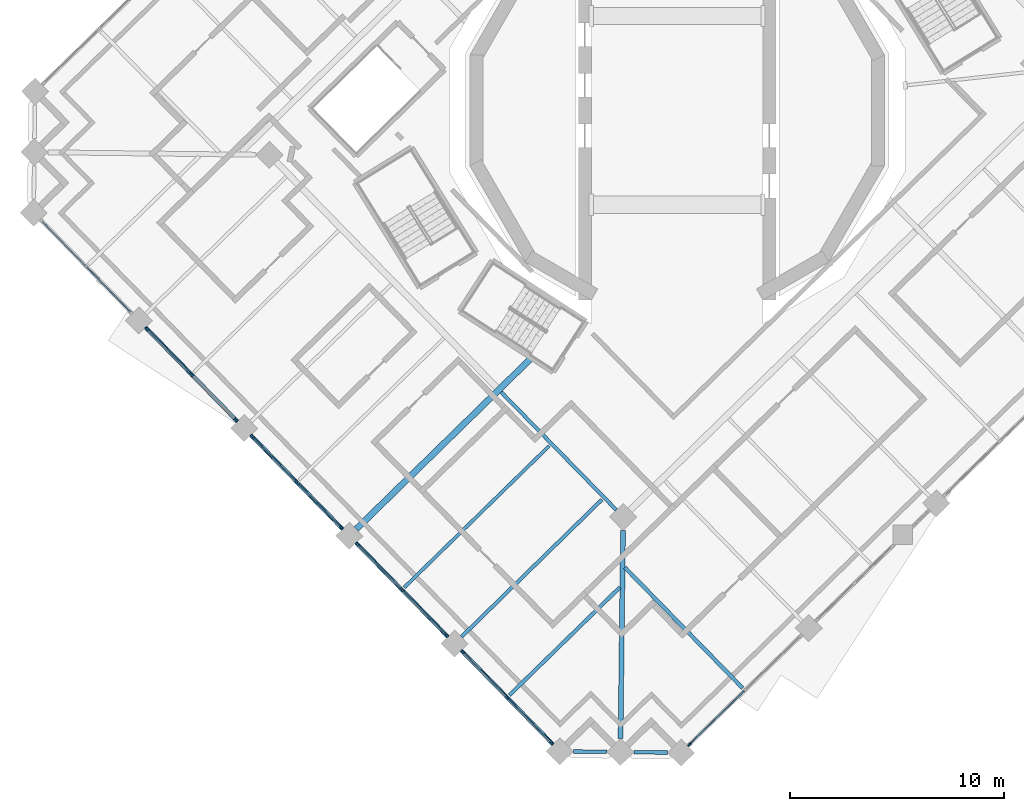
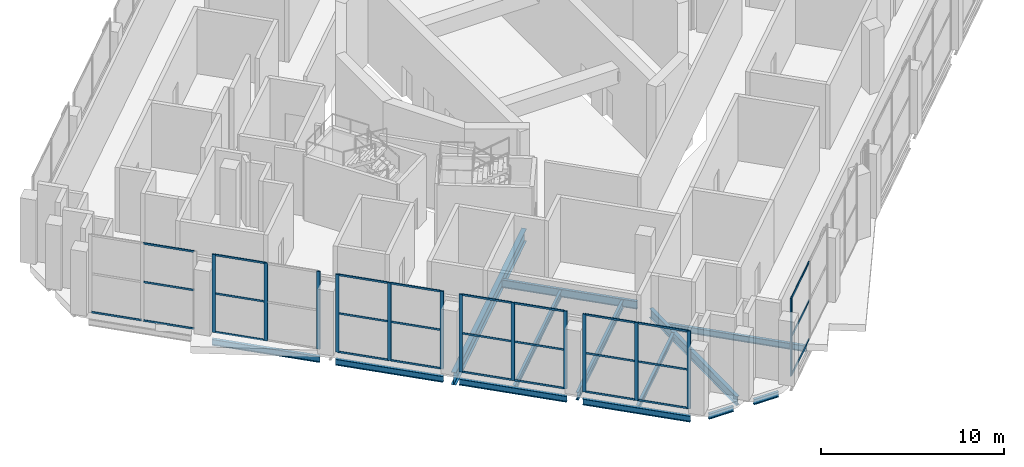
# One storey, part 2 of 20: 41 members, 13 beams, 6 elements without a shape of their own.
"""IFC4 building model written with IfcOpenShell, lengths in metres."""

from ifc_helpers import new_model, si_unit, direction, frame, origin, origin_2d, place, context, subcontext, project, spatial, rectangle, i_section, extrude, material, material_profile, profile_set, type_object, element, aggregate, save


model = new_model("IFC4")

# Units and contexts
model_context = context("Model", 3, precision=1e-05, world=origin(), true_north=direction((0.0, 1.0)))
body_context = subcontext(model_context, "Body", "Model", "MODEL_VIEW")
ifc_project = project(units=[si_unit("LENGTHUNIT", "METRE"), si_unit("AREAUNIT", "SQUARE_METRE"), si_unit("VOLUMEUNIT", "CUBIC_METRE"), si_unit("PLANEANGLEUNIT", "RADIAN"), si_unit("MASSUNIT", "GRAM", prefix="KILO")], contexts=[model_context])

# Site, building, storey
site_placement = place(None, origin())
site = spatial("IfcSite", under=ifc_project, at=site_placement, CompositionType="ELEMENT")
building_placement = place(site_placement, origin())
building = spatial("IfcBuilding", under=site, at=building_placement, Name="Cantera Rosa Tower", CompositionType="ELEMENT")
storey_placement = place(building_placement, frame((0.0, 0.0, 245.0)))
storey = spatial("IfcBuildingStorey", under=building, at=storey_placement, Name="L54", CompositionType="ELEMENT", Elevation=245.0)

# Curtain wall, members
ifc_material_1 = material(Name="Anodised aluminium louvre", Category="aluminium")
curtain_wall_type = type_object("IfcCurtainWallType", Name="CW3 REFUGE LOUVRE WALL", PredefinedType="NOTDEFINED", material=ifc_material_1)
curtain_wall_1_placement = place(storey_placement, origin())
curtain_wall_1 = element("IfcCurtainWall", 1, at=curtain_wall_1_placement, inside=storey, type_object=curtain_wall_type, Name="CW3 CW3", PredefinedType="NOTDEFINED")
ifc_material_2 = material(Name="Anodised bronze aluminium", Category="aluminium")
ifc_material_profile_1 = material_profile(ifc_material_2, rectangle(XDim=0.080078125, YDim=0.199951171875, at=origin_2d()), Name="CW-MULLION 80x200 REFUGE")
ifc_profile_set_1 = profile_set([ifc_material_profile_1], Name="Anodised bronze aluminium")
member_type_1 = type_object("IfcMemberType", Name="CW-MULLION 80x200 REFUGE", PredefinedType="MULLION", material=ifc_profile_set_1)
member_1_placement = place(storey_placement, frame((-24.720458984375, -10.185302734375, 0.0), z_axis=(0.0, 0.0, 1.0), x_axis=(0.715286291046, 0.698831540389, 0.0)))
member_1 = element("IfcMember", 2, at=member_1_placement, type_object=member_type_1, Name="CW3 mullion 1", PredefinedType="MULLION", context=body_context, shape_type="SweptSolid", body=[
    extrude(rectangle(XDim=0.080078125, YDim=0.199951171875, at=origin_2d()), origin(), (0.0, 0.0, 1.0), 5.199951171875),
])
member_2_placement = place(storey_placement, frame((-22.644775390625, -12.309814453125, 0.0), z_axis=(0.0, 0.0, 1.0), x_axis=(0.715286291046, 0.698831540389, 0.0)))
member_2 = element("IfcMember", 3, at=member_2_placement, type_object=member_type_1, Name="CW3 mullion 2", PredefinedType="MULLION", context=body_context, shape_type="SweptSolid", body=[
    extrude(rectangle(XDim=0.080078125, YDim=0.199951171875, at=origin_2d()), origin(), (0.0, 0.0, 1.0), 5.199951171875),
])
member_3_placement = place(storey_placement, frame((-20.5693359375, -14.43408203125, 0.0), z_axis=(0.0, 0.0, 1.0), x_axis=(0.715286291046, 0.698831540389, 0.0)))
member_3 = element("IfcMember", 4, at=member_3_placement, type_object=member_type_1, Name="CW3 mullion 3", PredefinedType="MULLION", context=body_context, shape_type="SweptSolid", body=[
    extrude(rectangle(XDim=0.080078125, YDim=0.199951171875, at=origin_2d()), origin(), (0.0, 0.0, 1.0), 5.199951171875),
])

curtain_wall_2_placement = place(storey_placement, origin())
curtain_wall_2 = element("IfcCurtainWall", 5, at=curtain_wall_2_placement, inside=storey, type_object=curtain_wall_type, Name="CW3 CW3", PredefinedType="NOTDEFINED")
member_4_placement = place(storey_placement, frame((-19.814697265625, -15.20654296875, 0.0), z_axis=(0.0, 0.0, 1.0), x_axis=(0.715286291046, 0.698831540389, 0.0)))
member_4 = element("IfcMember", 6, at=member_4_placement, type_object=member_type_1, Name="CW3 mullion 1", PredefinedType="MULLION", context=body_context, shape_type="SweptSolid", body=[
    extrude(rectangle(XDim=0.080078125, YDim=0.199951171875, at=origin_2d()), origin(), (0.0, 0.0, 1.0), 5.199951171875),
])
member_5_placement = place(storey_placement, frame((-17.739013671875, -17.3310546875, 0.0), z_axis=(0.0, 0.0, 1.0), x_axis=(0.715286291046, 0.698831540389, 0.0)))
member_5 = element("IfcMember", 7, at=member_5_placement, type_object=member_type_1, Name="CW3 mullion 2", PredefinedType="MULLION", context=body_context, shape_type="SweptSolid", body=[
    extrude(rectangle(XDim=0.080078125, YDim=0.199951171875, at=origin_2d()), origin(), (0.0, 0.0, 1.0), 5.199951171875),
])
member_6_placement = place(storey_placement, frame((-15.66357421875, -19.455322265625, 0.0), z_axis=(0.0, 0.0, 1.0), x_axis=(0.715286291046, 0.698831540389, 0.0)))
member_6 = element("IfcMember", 8, at=member_6_placement, type_object=member_type_1, Name="CW3 mullion 3", PredefinedType="MULLION", context=body_context, shape_type="SweptSolid", body=[
    extrude(rectangle(XDim=0.080078125, YDim=0.199951171875, at=origin_2d()), origin(), (0.0, 0.0, 1.0), 5.199951171875),
])

curtain_wall_3_placement = place(storey_placement, origin())
curtain_wall_3 = element("IfcCurtainWall", 9, at=curtain_wall_3_placement, inside=storey, type_object=curtain_wall_type, Name="CW3 CW3", PredefinedType="NOTDEFINED")
member_7_placement = place(storey_placement, frame((-14.908935546875, -20.22802734375, 0.0), z_axis=(0.0, 0.0, 1.0), x_axis=(0.715286291046, 0.698831540389, 0.0)))
member_7 = element("IfcMember", 10, at=member_7_placement, type_object=member_type_1, Name="CW3 mullion 1", PredefinedType="MULLION", context=body_context, shape_type="SweptSolid", body=[
    extrude(rectangle(XDim=0.080078125, YDim=0.199951171875, at=origin_2d()), origin(), (0.0, 0.0, 1.0), 5.199951171875),
])
member_8_placement = place(storey_placement, frame((-12.833251953125, -22.352294921875, 0.0), z_axis=(0.0, 0.0, 1.0), x_axis=(0.715286291046, 0.698831540389, 0.0)))
member_8 = element("IfcMember", 11, at=member_8_placement, type_object=member_type_1, Name="CW3 mullion 2", PredefinedType="MULLION", context=body_context, shape_type="SweptSolid", body=[
    extrude(rectangle(XDim=0.080078125, YDim=0.199951171875, at=origin_2d()), origin(), (0.0, 0.0, 1.0), 5.199951171875),
])
member_9_placement = place(storey_placement, frame((-10.7578125, -24.476806640625, 0.0), z_axis=(0.0, 0.0, 1.0), x_axis=(0.715286291046, 0.698831540389, 0.0)))
member_9 = element("IfcMember", 12, at=member_9_placement, type_object=member_type_1, Name="CW3 mullion 3", PredefinedType="MULLION", context=body_context, shape_type="SweptSolid", body=[
    extrude(rectangle(XDim=0.080078125, YDim=0.199951171875, at=origin_2d()), origin(), (0.0, 0.0, 1.0), 5.199951171875),
])

curtain_wall_4_placement = place(storey_placement, origin())
curtain_wall_4 = element("IfcCurtainWall", 13, at=curtain_wall_4_placement, inside=storey, type_object=curtain_wall_type, Name="CW3 CW3", PredefinedType="NOTDEFINED")
member_10_placement = place(storey_placement, frame((-10.0029296875, -25.249267578125, 0.0), z_axis=(0.0, 0.0, 1.0), x_axis=(0.715286291046, 0.698831540389, 0.0)))
member_10 = element("IfcMember", 14, at=member_10_placement, type_object=member_type_1, Name="CW3 mullion 1", PredefinedType="MULLION", context=body_context, shape_type="SweptSolid", body=[
    extrude(rectangle(XDim=0.080078125, YDim=0.199951171875, at=origin_2d()), origin(), (0.0, 0.0, 1.0), 5.199951171875),
])
member_11_placement = place(storey_placement, frame((-7.927490234375, -27.37353515625, 0.0), z_axis=(0.0, 0.0, 1.0), x_axis=(0.715286291046, 0.698831540389, 0.0)))
member_11 = element("IfcMember", 15, at=member_11_placement, type_object=member_type_1, Name="CW3 mullion 2", PredefinedType="MULLION", context=body_context, shape_type="SweptSolid", body=[
    extrude(rectangle(XDim=0.080078125, YDim=0.199951171875, at=origin_2d()), origin(), (0.0, 0.0, 1.0), 5.199951171875),
])
member_12_placement = place(storey_placement, frame((-5.85205078125, -29.498046875, 0.0), z_axis=(0.0, 0.0, 1.0), x_axis=(0.715286291046, 0.698831540389, 0.0)))
member_12 = element("IfcMember", 16, at=member_12_placement, type_object=member_type_1, Name="CW3 mullion 3", PredefinedType="MULLION", context=body_context, shape_type="SweptSolid", body=[
    extrude(rectangle(XDim=0.080078125, YDim=0.199951171875, at=origin_2d()), origin(), (0.0, 0.0, 1.0), 5.199951171875),
])

# Curtain wall, member
curtain_wall_5_placement = place(storey_placement, origin())
curtain_wall_5 = element("IfcCurtainWall", 17, at=curtain_wall_5_placement, inside=storey, type_object=curtain_wall_type, Name="CW3 CW3", PredefinedType="NOTDEFINED")
member_13_placement = place(storey_placement, frame((0.568115234375, -29.57275390625, 0.0), z_axis=(0.0, 0.0, 1.0), x_axis=(-0.698831540301, 0.715286291131, 0.0)))
member_13 = element("IfcMember", 18, at=member_13_placement, type_object=member_type_1, Name="CW3 mullion 1", PredefinedType="MULLION", context=body_context, shape_type="SweptSolid", body=[
    extrude(rectangle(XDim=0.080078125, YDim=0.199951171875, at=origin_2d()), origin(), (0.0, 0.0, 1.0), 5.199951171875),
])

# Curtain wall, members
curtain_wall_6_placement = place(storey_placement, origin())
curtain_wall_6 = element("IfcCurtainWall", 19, at=curtain_wall_6_placement, inside=storey, type_object=curtain_wall_type, Name="CW3 CW3", PredefinedType="NOTDEFINED")
ifc_material_3 = material(Name="Anodised bronze aluminium", Category="aluminium")
ifc_material_profile_2 = material_profile(ifc_material_3, rectangle(XDim=0.06005859375, YDim=0.1201171875, at=origin_2d()), Name="CW-TRANSOM 60x120 REFUGE")
ifc_profile_set_2 = profile_set([ifc_material_profile_2], Name="Anodised bronze aluminium")
member_type_2 = type_object("IfcMemberType", Name="CW-TRANSOM 60x120 REFUGE", PredefinedType="USERDEFINED", material=ifc_profile_set_2)
member_14_placement = place(storey_placement, frame((-29.598388671875, -5.192626953125, 0.030029296875), z_axis=(0.698865185777, -0.715253418104, 0.0), x_axis=(0.715253418104, 0.698865185777, 0.0)))
member_14 = element("IfcMember", 20, at=member_14_placement, type_object=member_type_2, Name="CW3 transom 1.1", ObjectType="TRANSOM", PredefinedType="USERDEFINED", context=body_context, shape_type="SweptSolid", body=[
    extrude(rectangle(XDim=0.06005859375, YDim=0.1201171875, at=origin_2d()), origin(), (0.0, 0.0, 1.0), 2.89013671875),
])
member_15_placement = place(storey_placement, frame((-27.522705078125, -7.31689453125, 0.030029296875), z_axis=(0.698779737974, -0.71533689811, 0.0), x_axis=(0.71533689811, 0.698779737974, 0.0)))
member_15 = element("IfcMember", 21, at=member_15_placement, type_object=member_type_2, Name="CW3 transom 2.1", ObjectType="TRANSOM", PredefinedType="USERDEFINED", context=body_context, shape_type="SweptSolid", body=[
    extrude(rectangle(XDim=0.06005859375, YDim=0.1201171875, at=origin_2d()), origin(), (0.0, 0.0, 1.0), 2.89013671875),
])
member_16_placement = place(storey_placement, frame((-27.522705078125, -7.31689453125, 2.60009765625), z_axis=(0.698779737974, -0.71533689811, 0.0), x_axis=(0.71533689811, 0.698779737974, 0.0)))
member_16 = element("IfcMember", 22, at=member_16_placement, type_object=member_type_2, Name="CW3 transom 2.2", ObjectType="TRANSOM", PredefinedType="USERDEFINED", context=body_context, shape_type="SweptSolid", body=[
    extrude(rectangle(XDim=0.06005859375, YDim=0.1201171875, at=origin_2d()), origin(), (0.0, 0.0, 1.0), 2.89013671875),
])
member_17_placement = place(storey_placement, frame((-27.522705078125, -7.31689453125, 5.169921875), z_axis=(0.698779737974, -0.71533689811, 0.0), x_axis=(0.71533689811, 0.698779737974, 0.0)))
member_17 = element("IfcMember", 23, at=member_17_placement, type_object=member_type_2, Name="CW3 transom 2.3", ObjectType="TRANSOM", PredefinedType="USERDEFINED", context=body_context, shape_type="SweptSolid", body=[
    extrude(rectangle(XDim=0.06005859375, YDim=0.1201171875, at=origin_2d()), origin(), (0.0, 0.0, 1.0), 2.89013671875),
])
aggregate(curtain_wall_6, [member_14, member_15, member_16, member_17])

# Member
member_18_placement = place(storey_placement, frame((-24.6923828125, -10.2138671875, 0.030029296875), z_axis=(0.698821965382, -0.715295645659, 0.0), x_axis=(0.715295645659, 0.698821965382, 0.0)))
member_18 = element("IfcMember", 24, at=member_18_placement, type_object=member_type_2, Name="CW3 transom 1.1", ObjectType="TRANSOM", PredefinedType="USERDEFINED", context=body_context, shape_type="SweptSolid", body=[
    extrude(rectangle(XDim=0.06005859375, YDim=0.1201171875, at=origin_2d()), origin(), (0.0, 0.0, 1.0), 2.889892578125),
])

member_19_placement = place(storey_placement, frame((-24.6923828125, -10.2138671875, 2.60009765625), z_axis=(0.698821965382, -0.715295645659, 0.0), x_axis=(0.715295645659, 0.698821965382, 0.0)))
member_19 = element("IfcMember", 25, at=member_19_placement, type_object=member_type_2, Name="CW3 transom 1.2", ObjectType="TRANSOM", PredefinedType="USERDEFINED", context=body_context, shape_type="SweptSolid", body=[
    extrude(rectangle(XDim=0.06005859375, YDim=0.1201171875, at=origin_2d()), origin(), (0.0, 0.0, 1.0), 2.889892578125),
])

member_20_placement = place(storey_placement, frame((-24.6923828125, -10.2138671875, 5.169921875), z_axis=(0.698821965382, -0.715295645659, 0.0), x_axis=(0.715295645659, 0.698821965382, 0.0)))
member_20 = element("IfcMember", 26, at=member_20_placement, type_object=member_type_2, Name="CW3 transom 1.3", ObjectType="TRANSOM", PredefinedType="USERDEFINED", context=body_context, shape_type="SweptSolid", body=[
    extrude(rectangle(XDim=0.06005859375, YDim=0.1201171875, at=origin_2d()), origin(), (0.0, 0.0, 1.0), 2.889892578125),
])

aggregate(curtain_wall_1, [member_1, member_2, member_3, member_18, member_19, member_20])

member_21_placement = place(storey_placement, frame((-19.78662109375, -15.2353515625, 0.030029296875), z_axis=(0.698821965382, -0.715295645659, 0.0), x_axis=(0.715295645659, 0.698821965382, 0.0)))
member_21 = element("IfcMember", 27, at=member_21_placement, type_object=member_type_2, Name="CW3 transom 1.1", ObjectType="TRANSOM", PredefinedType="USERDEFINED", context=body_context, shape_type="SweptSolid", body=[
    extrude(rectangle(XDim=0.06005859375, YDim=0.1201171875, at=origin_2d()), origin(), (0.0, 0.0, 1.0), 2.889892578125),
])

member_22_placement = place(storey_placement, frame((-19.78662109375, -15.2353515625, 2.60009765625), z_axis=(0.698821965382, -0.715295645659, 0.0), x_axis=(0.715295645659, 0.698821965382, 0.0)))
member_22 = element("IfcMember", 28, at=member_22_placement, type_object=member_type_2, Name="CW3 transom 1.2", ObjectType="TRANSOM", PredefinedType="USERDEFINED", context=body_context, shape_type="SweptSolid", body=[
    extrude(rectangle(XDim=0.06005859375, YDim=0.1201171875, at=origin_2d()), origin(), (0.0, 0.0, 1.0), 2.889892578125),
])

member_23_placement = place(storey_placement, frame((-19.78662109375, -15.2353515625, 5.169921875), z_axis=(0.698821965382, -0.715295645659, 0.0), x_axis=(0.715295645659, 0.698821965382, 0.0)))
member_23 = element("IfcMember", 29, at=member_23_placement, type_object=member_type_2, Name="CW3 transom 1.3", ObjectType="TRANSOM", PredefinedType="USERDEFINED", context=body_context, shape_type="SweptSolid", body=[
    extrude(rectangle(XDim=0.06005859375, YDim=0.1201171875, at=origin_2d()), origin(), (0.0, 0.0, 1.0), 2.889892578125),
])

member_24_placement = place(storey_placement, frame((-17.711181640625, -17.359619140625, 0.030029296875), z_axis=(0.698865185777, -0.715253418104, 0.0), x_axis=(0.715253418104, 0.698865185777, 0.0)))
member_24 = element("IfcMember", 30, at=member_24_placement, type_object=member_type_2, Name="CW3 transom 2.1", ObjectType="TRANSOM", PredefinedType="USERDEFINED", context=body_context, shape_type="SweptSolid", body=[
    extrude(rectangle(XDim=0.06005859375, YDim=0.1201171875, at=origin_2d()), origin(), (0.0, 0.0, 1.0), 2.89013671875),
])

member_25_placement = place(storey_placement, frame((-17.711181640625, -17.359619140625, 2.60009765625), z_axis=(0.698865185777, -0.715253418104, 0.0), x_axis=(0.715253418104, 0.698865185777, 0.0)))
member_25 = element("IfcMember", 31, at=member_25_placement, type_object=member_type_2, Name="CW3 transom 2.2", ObjectType="TRANSOM", PredefinedType="USERDEFINED", context=body_context, shape_type="SweptSolid", body=[
    extrude(rectangle(XDim=0.06005859375, YDim=0.1201171875, at=origin_2d()), origin(), (0.0, 0.0, 1.0), 2.89013671875),
])

member_26_placement = place(storey_placement, frame((-17.711181640625, -17.359619140625, 5.169921875), z_axis=(0.698865185777, -0.715253418104, 0.0), x_axis=(0.715253418104, 0.698865185777, 0.0)))
member_26 = element("IfcMember", 32, at=member_26_placement, type_object=member_type_2, Name="CW3 transom 2.3", ObjectType="TRANSOM", PredefinedType="USERDEFINED", context=body_context, shape_type="SweptSolid", body=[
    extrude(rectangle(XDim=0.06005859375, YDim=0.1201171875, at=origin_2d()), origin(), (0.0, 0.0, 1.0), 2.89013671875),
])

aggregate(curtain_wall_2, [member_4, member_5, member_6, member_21, member_22, member_23, member_24, member_25, member_26])

member_27_placement = place(storey_placement, frame((-14.880859375, -20.256591796875, 0.030029296875), z_axis=(0.698821965382, -0.715295645659, 0.0), x_axis=(0.715295645659, 0.698821965382, 0.0)))
member_27 = element("IfcMember", 33, at=member_27_placement, type_object=member_type_2, Name="CW3 transom 1.1", ObjectType="TRANSOM", PredefinedType="USERDEFINED", context=body_context, shape_type="SweptSolid", body=[
    extrude(rectangle(XDim=0.06005859375, YDim=0.1201171875, at=origin_2d()), origin(), (0.0, 0.0, 1.0), 2.889892578125),
])

member_28_placement = place(storey_placement, frame((-14.880859375, -20.256591796875, 2.60009765625), z_axis=(0.698821965382, -0.715295645659, 0.0), x_axis=(0.715295645659, 0.698821965382, 0.0)))
member_28 = element("IfcMember", 34, at=member_28_placement, type_object=member_type_2, Name="CW3 transom 1.2", ObjectType="TRANSOM", PredefinedType="USERDEFINED", context=body_context, shape_type="SweptSolid", body=[
    extrude(rectangle(XDim=0.06005859375, YDim=0.1201171875, at=origin_2d()), origin(), (0.0, 0.0, 1.0), 2.889892578125),
])

member_29_placement = place(storey_placement, frame((-14.880859375, -20.256591796875, 5.169921875), z_axis=(0.698821965382, -0.715295645659, 0.0), x_axis=(0.715295645659, 0.698821965382, 0.0)))
member_29 = element("IfcMember", 35, at=member_29_placement, type_object=member_type_2, Name="CW3 transom 1.3", ObjectType="TRANSOM", PredefinedType="USERDEFINED", context=body_context, shape_type="SweptSolid", body=[
    extrude(rectangle(XDim=0.06005859375, YDim=0.1201171875, at=origin_2d()), origin(), (0.0, 0.0, 1.0), 2.889892578125),
])

member_30_placement = place(storey_placement, frame((-12.805419921875, -22.380859375, 0.030029296875), z_axis=(0.698822960742, -0.715294673222, 0.0), x_axis=(0.715294673222, 0.698822960742, 0.0)))
member_30 = element("IfcMember", 36, at=member_30_placement, type_object=member_type_2, Name="CW3 transom 2.1", ObjectType="TRANSOM", PredefinedType="USERDEFINED", context=body_context, shape_type="SweptSolid", body=[
    extrude(rectangle(XDim=0.06005859375, YDim=0.1201171875, at=origin_2d()), origin(), (0.0, 0.0, 1.0), 2.89013671875),
])

member_31_placement = place(storey_placement, frame((-12.805419921875, -22.380859375, 2.60009765625), z_axis=(0.698822960742, -0.715294673222, 0.0), x_axis=(0.715294673222, 0.698822960742, 0.0)))
member_31 = element("IfcMember", 37, at=member_31_placement, type_object=member_type_2, Name="CW3 transom 2.2", ObjectType="TRANSOM", PredefinedType="USERDEFINED", context=body_context, shape_type="SweptSolid", body=[
    extrude(rectangle(XDim=0.06005859375, YDim=0.1201171875, at=origin_2d()), origin(), (0.0, 0.0, 1.0), 2.89013671875),
])

member_32_placement = place(storey_placement, frame((-12.805419921875, -22.380859375, 5.169921875), z_axis=(0.698822960742, -0.715294673222, 0.0), x_axis=(0.715294673222, 0.698822960742, 0.0)))
member_32 = element("IfcMember", 38, at=member_32_placement, type_object=member_type_2, Name="CW3 transom 2.3", ObjectType="TRANSOM", PredefinedType="USERDEFINED", context=body_context, shape_type="SweptSolid", body=[
    extrude(rectangle(XDim=0.06005859375, YDim=0.1201171875, at=origin_2d()), origin(), (0.0, 0.0, 1.0), 2.89013671875),
])

aggregate(curtain_wall_3, [member_7, member_8, member_9, member_27, member_28, member_29, member_30, member_31, member_32])

member_33_placement = place(storey_placement, frame((-9.97509765625, -25.27783203125, 0.030029296875), z_axis=(0.698821965382, -0.715295645659, 0.0), x_axis=(0.715295645659, 0.698821965382, 0.0)))
member_33 = element("IfcMember", 39, at=member_33_placement, type_object=member_type_2, Name="CW3 transom 1.1", ObjectType="TRANSOM", PredefinedType="USERDEFINED", context=body_context, shape_type="SweptSolid", body=[
    extrude(rectangle(XDim=0.06005859375, YDim=0.1201171875, at=origin_2d()), origin(), (0.0, 0.0, 1.0), 2.889892578125),
])

member_34_placement = place(storey_placement, frame((-9.97509765625, -25.27783203125, 2.60009765625), z_axis=(0.698821965382, -0.715295645659, 0.0), x_axis=(0.715295645659, 0.698821965382, 0.0)))
member_34 = element("IfcMember", 40, at=member_34_placement, type_object=member_type_2, Name="CW3 transom 1.2", ObjectType="TRANSOM", PredefinedType="USERDEFINED", context=body_context, shape_type="SweptSolid", body=[
    extrude(rectangle(XDim=0.06005859375, YDim=0.1201171875, at=origin_2d()), origin(), (0.0, 0.0, 1.0), 2.889892578125),
])

member_35_placement = place(storey_placement, frame((-9.97509765625, -25.27783203125, 5.169921875), z_axis=(0.698821965382, -0.715295645659, 0.0), x_axis=(0.715295645659, 0.698821965382, 0.0)))
member_35 = element("IfcMember", 41, at=member_35_placement, type_object=member_type_2, Name="CW3 transom 1.3", ObjectType="TRANSOM", PredefinedType="USERDEFINED", context=body_context, shape_type="SweptSolid", body=[
    extrude(rectangle(XDim=0.06005859375, YDim=0.1201171875, at=origin_2d()), origin(), (0.0, 0.0, 1.0), 2.889892578125),
])

member_36_placement = place(storey_placement, frame((-7.899658203125, -27.40234375, 0.030029296875), z_axis=(0.698865185777, -0.715253418104, 0.0), x_axis=(0.715253418104, 0.698865185777, 0.0)))
member_36 = element("IfcMember", 42, at=member_36_placement, type_object=member_type_2, Name="CW3 transom 2.1", ObjectType="TRANSOM", PredefinedType="USERDEFINED", context=body_context, shape_type="SweptSolid", body=[
    extrude(rectangle(XDim=0.06005859375, YDim=0.1201171875, at=origin_2d()), origin(), (0.0, 0.0, 1.0), 2.89013671875),
])

member_37_placement = place(storey_placement, frame((-7.899658203125, -27.40234375, 2.60009765625), z_axis=(0.698865185777, -0.715253418104, 0.0), x_axis=(0.715253418104, 0.698865185777, 0.0)))
member_37 = element("IfcMember", 43, at=member_37_placement, type_object=member_type_2, Name="CW3 transom 2.2", ObjectType="TRANSOM", PredefinedType="USERDEFINED", context=body_context, shape_type="SweptSolid", body=[
    extrude(rectangle(XDim=0.06005859375, YDim=0.1201171875, at=origin_2d()), origin(), (0.0, 0.0, 1.0), 2.89013671875),
])

member_38_placement = place(storey_placement, frame((-7.899658203125, -27.40234375, 5.169921875), z_axis=(0.698865185777, -0.715253418104, 0.0), x_axis=(0.715253418104, 0.698865185777, 0.0)))
member_38 = element("IfcMember", 44, at=member_38_placement, type_object=member_type_2, Name="CW3 transom 2.3", ObjectType="TRANSOM", PredefinedType="USERDEFINED", context=body_context, shape_type="SweptSolid", body=[
    extrude(rectangle(XDim=0.06005859375, YDim=0.1201171875, at=origin_2d()), origin(), (0.0, 0.0, 1.0), 2.89013671875),
])

aggregate(curtain_wall_4, [member_10, member_11, member_12, member_33, member_34, member_35, member_36, member_37, member_38])

member_39_placement = place(storey_placement, frame((0.5966796875, -29.544677734375, 0.030029296875), z_axis=(0.715334487987, 0.698782205195, 0.0), x_axis=(-0.698782205195, 0.715334487987, 0.0)))
member_39 = element("IfcMember", 45, at=member_39_placement, type_object=member_type_2, Name="CW3 transom 1.1", ObjectType="TRANSOM", PredefinedType="USERDEFINED", context=body_context, shape_type="SweptSolid", body=[
    extrude(rectangle(XDim=0.06005859375, YDim=0.1201171875, at=origin_2d()), origin(), (0.0, 0.0, 1.0), 3.5400390625),
])

member_40_placement = place(storey_placement, frame((0.5966796875, -29.544677734375, 2.60009765625), z_axis=(0.715334487987, 0.698782205195, 0.0), x_axis=(-0.698782205195, 0.715334487987, 0.0)))
member_40 = element("IfcMember", 46, at=member_40_placement, type_object=member_type_2, Name="CW3 transom 1.2", ObjectType="TRANSOM", PredefinedType="USERDEFINED", context=body_context, shape_type="SweptSolid", body=[
    extrude(rectangle(XDim=0.06005859375, YDim=0.1201171875, at=origin_2d()), origin(), (0.0, 0.0, 1.0), 3.5400390625),
])

member_41_placement = place(storey_placement, frame((0.5966796875, -29.544677734375, 5.169921875), z_axis=(0.715334487987, 0.698782205195, 0.0), x_axis=(-0.698782205195, 0.715334487987, 0.0)))
member_41 = element("IfcMember", 47, at=member_41_placement, type_object=member_type_2, Name="CW3 transom 1.3", ObjectType="TRANSOM", PredefinedType="USERDEFINED", context=body_context, shape_type="SweptSolid", body=[
    extrude(rectangle(XDim=0.06005859375, YDim=0.1201171875, at=origin_2d()), origin(), (0.0, 0.0, 1.0), 3.5400390625),
])

aggregate(curtain_wall_5, [member_13, member_39, member_40, member_41])

# Beams
ifc_material_4 = material(Name="Steel ASTM A992 (Fy 345 MPa)", Category="steel")
ifc_material_profile_3 = material_profile(ifc_material_4, i_section(OverallWidth=0.166015625, OverallDepth=0.528076171875, WebThickness=0.009765625, FlangeThickness=0.013671875, FilletRadius=0.0126953125, at=origin_2d()), Name="W530X74")
ifc_profile_set_3 = profile_set([ifc_material_profile_3], Name="Steel ASTM A992 (Fy 345 MPa)")
beam_type_1 = type_object("IfcBeamType", Name="STEEL BEAM W530X74", PredefinedType="BEAM", material=ifc_profile_set_3)
beam_1_placement = place(storey_placement, frame((-10.05859375, -24.548583984375, -0.714111328125), z_axis=(0.71529025682, 0.698827481213, 0.0), x_axis=(-0.698827481213, 0.71529025682, 0.0)))
element("IfcBeam", 48, at=beam_1_placement, inside=storey, type_object=beam_type_1, Name="G-Z4-16 L54", PredefinedType="BEAM", context=body_context, shape_type="SweptSolid", body=[
    extrude(i_section(OverallWidth=0.166015625, OverallDepth=0.528076171875, WebThickness=0.009765625, FlangeThickness=0.013671875, FilletRadius=0.0126953125, at=origin_2d()), origin(), (0.0, 0.0, 1.0), 9.14990234375),
])
beam_2_placement = place(storey_placement, frame((-2.833251953125, -18.635986328125, -0.714111328125), z_axis=(-0.698820376914, 0.71529719754, 0.0), x_axis=(-0.71529719754, -0.698820376914, 0.0)))
element("IfcBeam", 49, at=beam_2_placement, inside=storey, type_object=beam_type_1, Name="RB-Z4-06 L54", PredefinedType="BEAM", context=body_context, shape_type="SweptSolid", body=[
    extrude(i_section(OverallWidth=0.166015625, OverallDepth=0.528076171875, WebThickness=0.009765625, FlangeThickness=0.013671875, FilletRadius=0.0126953125, at=origin_2d()), origin(), (0.0, 0.0, 1.0), 7.690185546875),
])
ifc_material_5 = material(Name="Steel ASTM A992 (Fy 345 MPa)", Category="steel")
ifc_material_profile_4 = material_profile(ifc_material_5, i_section(OverallWidth=0.22802734375, OverallDepth=0.60205078125, WebThickness=0.010498046875, FlangeThickness=0.014892578125, FilletRadius=0.0126953125, at=origin_2d()), Name="W610X101")
ifc_profile_set_4 = profile_set([ifc_material_profile_4], Name="Steel ASTM A992 (Fy 345 MPa)")
beam_type_2 = type_object("IfcBeamType", Name="STEEL BEAM W610X101", PredefinedType="BEAM", material=ifc_profile_set_4)
beam_3_placement = place(storey_placement, frame((-2.638916015625, -29.28076171875, -0.7509765625), z_axis=(0.011618330597, 0.999932504919, 0.0), x_axis=(-0.999932504919, 0.011618330597, 0.0)))
element("IfcBeam", 50, at=beam_3_placement, inside=storey, type_object=beam_type_2, Name="CB-Z4-03 L54", PredefinedType="BEAM", context=body_context, shape_type="SweptSolid", body=[
    extrude(i_section(OverallWidth=0.22802734375, OverallDepth=0.60205078125, WebThickness=0.010498046875, FlangeThickness=0.014892578125, FilletRadius=0.0126953125, at=origin_2d()), origin(), (0.0, 0.0, 1.0), 9.687255859375),
])
ifc_material_6 = material(Name="Steel ASTM A992 (Fy 345 MPa)", Category="steel")
ifc_material_profile_5 = material_profile(ifc_material_6, i_section(OverallWidth=0.2919921875, OverallDepth=0.8359375, WebThickness=0.013916015625, FlangeThickness=0.018798828125, FilletRadius=0.017822265625, at=origin_2d()), Name="W840X176")
ifc_profile_set_5 = profile_set([ifc_material_profile_5], Name="Steel ASTM A992 (Fy 345 MPa)")
beam_type_3 = type_object("IfcBeamType", Name="STEEL BEAM W840X176", PredefinedType="BEAM", material=ifc_profile_set_5)
beam_4_placement = place(storey_placement, frame((-14.96435546875, -19.527099609375, -0.867919921875), z_axis=(0.715288446628, 0.698829334045, 0.0), x_axis=(-0.698829334045, 0.715288446628, 0.0)))
element("IfcBeam", 51, at=beam_4_placement, inside=storey, type_object=beam_type_3, Name="G-Z4-15 L54", PredefinedType="BEAM", context=body_context, shape_type="SweptSolid", body=[
    extrude(i_section(OverallWidth=0.2919921875, OverallDepth=0.8359375, WebThickness=0.013916015625, FlangeThickness=0.018798828125, FilletRadius=0.017822265625, at=origin_2d()), origin(), (0.0, 0.0, 1.0), 14.299072265625),
])
ifc_material_7 = material(Name="Steel ASTM A992 (Fy 345 MPa)", Category="steel")
ifc_material_profile_6 = material_profile(ifc_material_7, i_section(OverallWidth=0.1708984375, OverallDepth=0.35595703125, WebThickness=0.00732421875, FlangeThickness=0.01171875, FilletRadius=0.010009765625, at=origin_2d()), Name="W360X51")
ifc_profile_set_6 = profile_set([ifc_material_profile_6], Name="Steel ASTM A992 (Fy 345 MPa)")
beam_type_4 = type_object("IfcBeamType", Name="STEEL JOIST W360X51", PredefinedType="JOIST", material=ifc_profile_set_6)
beam_5_placement = place(storey_placement, frame((-7.8203125, -27.268798828125, -0.6279296875), z_axis=(0.715287213552, 0.69883059616, 0.0), x_axis=(-0.69883059616, 0.715287213552, 0.0)))
element("IfcBeam", 52, at=beam_5_placement, inside=storey, type_object=beam_type_4, Name="B-Z4-20 L54", PredefinedType="JOIST", context=body_context, shape_type="SweptSolid", body=[
    extrude(i_section(OverallWidth=0.1708984375, OverallDepth=0.35595703125, WebThickness=0.00732421875, FlangeThickness=0.01171875, FilletRadius=0.010009765625, at=origin_2d()), origin(), (0.0, 0.0, 1.0), 7.2099609375),
])
ifc_material_8 = material(Name="Steel ASTM A992 (Fy 345 MPa)", Category="steel")
ifc_material_profile_7 = material_profile(ifc_material_8, i_section(OverallWidth=0.177978515625, OverallDepth=0.406005859375, WebThickness=0.0078125, FlangeThickness=0.0126953125, FilletRadius=0.01025390625, at=origin_2d()), Name="W410X60")
ifc_profile_set_7 = profile_set([ifc_material_profile_7], Name="Steel ASTM A992 (Fy 345 MPa)")
beam_type_5 = type_object("IfcBeamType", Name="STEEL JOIST W410X60", PredefinedType="JOIST", material=ifc_profile_set_7)
beam_6_placement = place(storey_placement, frame((3.052734375, -26.935791015625, -0.653076171875), z_axis=(-0.698827868311, 0.715289878631, 0.0), x_axis=(-0.715289878631, -0.698827868311, 0.0)))
element("IfcBeam", 53, at=beam_6_placement, inside=storey, type_object=beam_type_5, Name="B-Z4-11 L54", PredefinedType="JOIST", context=body_context, shape_type="SweptSolid", body=[
    extrude(i_section(OverallWidth=0.177978515625, OverallDepth=0.406005859375, WebThickness=0.0078125, FlangeThickness=0.0126953125, FilletRadius=0.01025390625, at=origin_2d()), origin(), (0.0, 0.0, 1.0), 7.860107421875),
])
ifc_material_9 = material(Name="Steel ASTM A992 (Fy 345 MPa)", Category="steel")
ifc_material_profile_8 = material_profile(ifc_material_9, i_section(OverallWidth=0.154052734375, OverallDepth=0.4599609375, WebThickness=0.009033203125, FlangeThickness=0.015380859375, FilletRadius=0.01025390625, at=origin_2d()), Name="W460X68")
ifc_profile_set_8 = profile_set([ifc_material_profile_8], Name="Steel ASTM A992 (Fy 345 MPa)")
beam_type_6 = type_object("IfcBeamType", Name="STEEL JOIST W460X68", PredefinedType="JOIST", material=ifc_profile_set_8)
beam_7_placement = place(storey_placement, frame((-12.72607421875, -22.24755859375, -0.679931640625), z_axis=(0.715287278354, 0.698830529832, 0.0), x_axis=(-0.698830529832, 0.715287278354, 0.0)))
element("IfcBeam", 54, at=beam_7_placement, inside=storey, type_object=beam_type_6, Name="B-Z4-19 L54", PredefinedType="JOIST", context=body_context, shape_type="SweptSolid", body=[
    extrude(i_section(OverallWidth=0.154052734375, OverallDepth=0.4599609375, WebThickness=0.009033203125, FlangeThickness=0.015380859375, FilletRadius=0.01025390625, at=origin_2d()), origin(), (0.0, 0.0, 1.0), 9.4501953125),
])
ifc_material_10 = material(Name="Steel ASTM A992 (Fy 345 MPa)", Category="steel")
ifc_material_profile_9 = material_profile(ifc_material_10, i_section(OverallWidth=0.1708984375, OverallDepth=0.35595703125, WebThickness=0.00732421875, FlangeThickness=0.01171875, FilletRadius=0.010009765625, at=origin_2d()), Name="W360X51")
ifc_profile_set_9 = profile_set([ifc_material_profile_9], Name="Steel ASTM A992 (Fy 345 MPa)")
beam_type_7 = type_object("IfcBeamType", Name="STEEL SPANDREL BEAM W360X51", PredefinedType="SPANDREL", material=ifc_profile_set_9)
for number, where, z_axis, x_axis, name in (
    (55, (-4.838134765625, -29.8916015625, -0.6279296875), (0.999930716123, -0.011771276677, 0.0), (0.011771276677, 0.999930716123, 0.0), "EB-Z4-20 L54"),
    (56, (-2.010009765625, -29.924560546875, -0.6279296875), (0.99993255119, -0.011614347636, 0.0), (0.011614347636, 0.99993255119, 0.0), "EB-Z4-21 L54"),
):
    element("IfcBeam", number, at=place(storey_placement, frame(where, z_axis=z_axis, x_axis=x_axis)), inside=storey, type_object=beam_type_7, Name=name, PredefinedType="SPANDREL", context=body_context, shape_type="SweptSolid", body=[
        extrude(i_section(OverallWidth=0.1708984375, OverallDepth=0.35595703125, WebThickness=0.00732421875, FlangeThickness=0.01171875, FilletRadius=0.010009765625, at=origin_2d()), origin(), (0.0, 0.0, 1.0), 1.555419921875),
    ])
ifc_material_11 = material(Name="Steel ASTM A992 (Fy 345 MPa)", Category="steel")
ifc_material_profile_10 = material_profile(ifc_material_11, i_section(OverallWidth=0.177978515625, OverallDepth=0.406005859375, WebThickness=0.0078125, FlangeThickness=0.0126953125, FilletRadius=0.01025390625, at=origin_2d()), Name="W410X60")
ifc_profile_set_10 = profile_set([ifc_material_profile_10], Name="Steel ASTM A992 (Fy 345 MPa)")
beam_type_8 = type_object("IfcBeamType", Name="STEEL SPANDREL BEAM W410X60", PredefinedType="SPANDREL", material=ifc_profile_set_10)
for number, where, z_axis, x_axis, name in (
    (57, (-24.783203125, -10.120849609375, -0.653076171875), (0.698800768177, -0.715316354067, 0.0), (0.715316354067, 0.698800768177, 0.0), "EB-Z4-16 L54"),
    (58, (-19.87744140625, -15.142333984375, -0.653076171875), (0.698841120217, -0.71527693147, 0.0), (0.71527693147, 0.698841120217, 0.0), "EB-Z4-17 L54"),
    (59, (-14.9716796875, -20.16357421875, -0.653076171875), (0.698841120217, -0.71527693147, 0.0), (0.71527693147, 0.698841120217, 0.0), "EB-Z4-18 L54"),
):
    element("IfcBeam", number, at=place(storey_placement, frame(where, z_axis=z_axis, x_axis=x_axis)), inside=storey, type_object=beam_type_8, Name=name, PredefinedType="SPANDREL", context=body_context, shape_type="SweptSolid", body=[
        extrude(i_section(OverallWidth=0.177978515625, OverallDepth=0.406005859375, WebThickness=0.0078125, FlangeThickness=0.0126953125, FilletRadius=0.01025390625, at=origin_2d()), origin(), (0.0, 0.0, 1.0), 6.119873046875),
    ])
beam_8_placement = place(storey_placement, frame((-10.06591796875, -25.184814453125, -0.653076171875), z_axis=(0.69882117953, -0.715296413412, 0.0), x_axis=(0.715296413412, 0.69882117953, 0.0)))
element("IfcBeam", 60, at=beam_8_placement, inside=storey, type_object=beam_type_8, Name="EB-Z4-19 L54", PredefinedType="SPANDREL", context=body_context, shape_type="SweptSolid", body=[
    extrude(i_section(OverallWidth=0.177978515625, OverallDepth=0.406005859375, WebThickness=0.0078125, FlangeThickness=0.0126953125, FilletRadius=0.01025390625, at=origin_2d()), origin(), (0.0, 0.0, 1.0), 6.1201171875),
])

save(model, "model.ifc")
